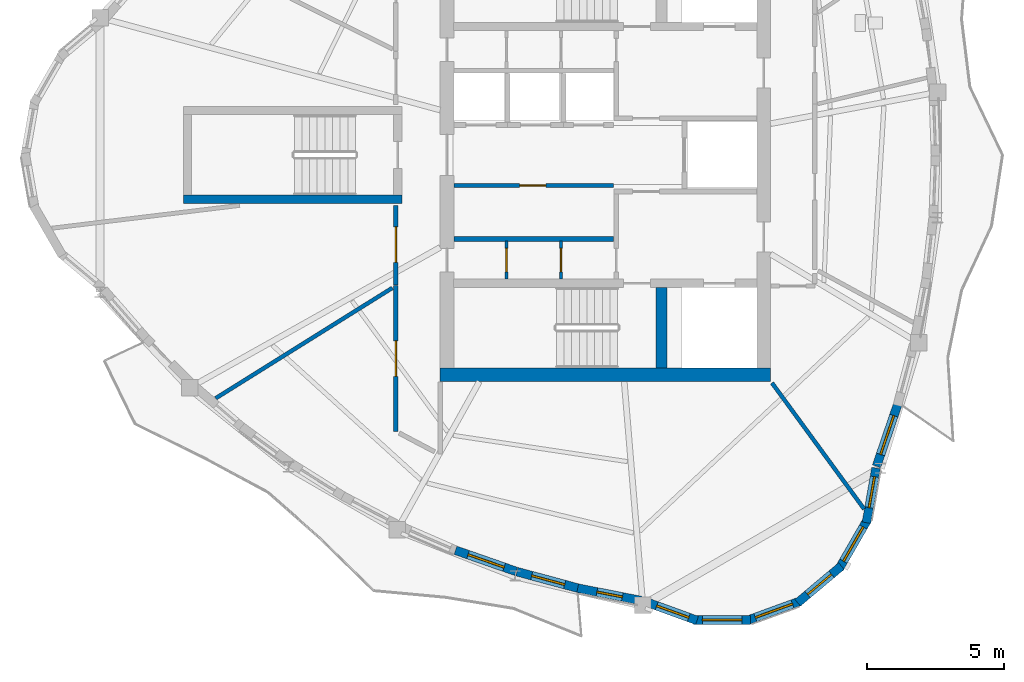
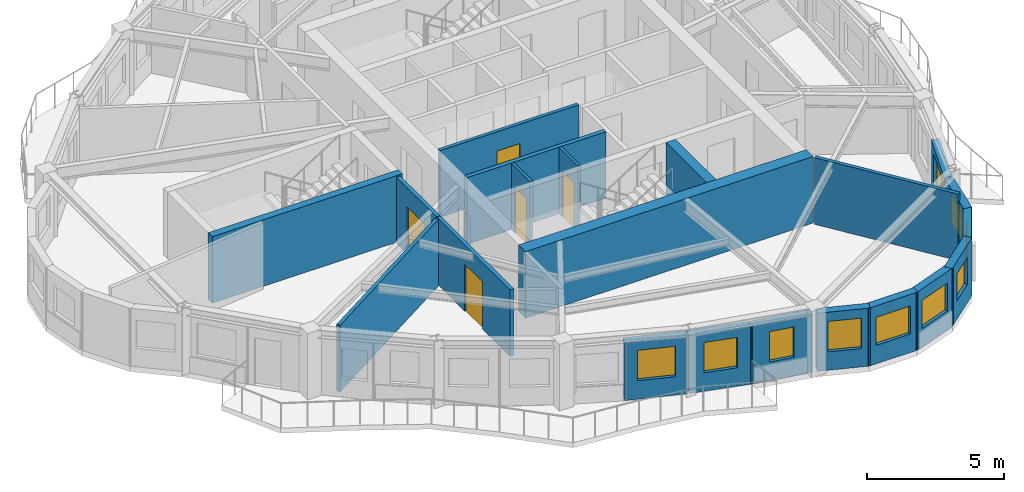
# One storey, part 3 of 11: 21 walls, 10 windows, 5 doors, 15 openings.
"""IFC4 building model written with IfcOpenShell, lengths in metres."""

import ifcopenshell
import ifcopenshell.guid

model = None  # the IFC model being written
_history = None  # IfcOwnerHistory: only IFC2X3 demands one
_inside = {}  # id of a spatial element -> (the spatial element, [elements in it])
_under = {}  # id of a project, library or spatial element -> (it, [spatial elements below it])
_declared = {}  # id of a project -> (the project, [libraries it declares])
_typed = {}  # id of a type object -> (the type object, [elements of that type])
_made_of = {}  # id of a material, layer set ... -> (it, [elements and type objects made of it])


def new_model(schema):
    """Start an empty IFC model of exactly this schema.

    Asked for "IFC4X3", IfcOpenShell would pick the latest addendum, in which some entities
    have other attributes; the version numbers below select the first issue.
    IFC2X3 requires an IfcOwnerHistory on every rooted entity: one is made here for all.
    """
    global model, _history
    if schema == "IFC4X3":
        model = ifcopenshell.file(schema_version=(4, 3, 0, 0))
    else:
        model = ifcopenshell.file(schema=schema)
    _inside.clear()
    _under.clear()
    _declared.clear()
    _typed.clear()
    _made_of.clear()
    _history = None
    if model.schema == "IFC2X3":
        org = make("IfcOrganization", Name="unknown")
        user = make(
            "IfcPersonAndOrganization",
            ThePerson=make("IfcPerson", FamilyName="unknown"),
            TheOrganization=org,
        )
        app = make(
            "IfcApplication",
            ApplicationDeveloper=org,
            Version="unknown",
            ApplicationFullName="unknown",
            ApplicationIdentifier="unknown",
        )
        _history = make(
            "IfcOwnerHistory",
            OwningUser=user,
            OwningApplication=app,
            ChangeAction="ADDED",
            CreationDate=0,
        )
    return model


def make(cls, **values):
    """One entity of the class cls with the attributes given. An attribute that is None is left unset."""
    return model.create_entity(
        cls, **{name: value for name, value in values.items() if value is not None}
    )


def rooted(cls, **values):
    """An entity with a GlobalId (a new one), such as an element, a storey or a relation."""
    return make(cls, GlobalId=ifcopenshell.guid.new(), OwnerHistory=_history, **values)


def si_unit(unit_type, name, prefix=None):
    """IfcSIUnit, for example si_unit("LENGTHUNIT", "METRE", prefix="MILLI")."""
    return make("IfcSIUnit", UnitType=unit_type, Prefix=prefix, Name=name)


def assignment(units):
    """IfcUnitAssignment: the units of a project."""
    return None if units is None else make("IfcUnitAssignment", Units=units)


def point(xyz):
    """IfcCartesianPoint."""
    return None if xyz is None else make("IfcCartesianPoint", Coordinates=xyz)


def direction(xyz):
    """IfcDirection."""
    return None if xyz is None else make("IfcDirection", DirectionRatios=xyz)


def frame(location, z_axis=None, x_axis=None):
    """IfcAxis2Placement3D, a coordinate frame: its origin and axes. An axis left out is left unset."""
    return make(
        "IfcAxis2Placement3D",
        Location=point(location),
        Axis=direction(z_axis),
        RefDirection=direction(x_axis),
    )


def frame_2d(location, x_axis=None):
    """IfcAxis2Placement2D, a coordinate frame in the plane: its origin and x axis."""
    return make(
        "IfcAxis2Placement2D", Location=point(location), RefDirection=direction(x_axis)
    )


def origin():
    """The frame at (0, 0, 0) with its axes left unset."""
    return frame((0.0, 0.0, 0.0))


def place(relative_to, where):
    """IfcLocalPlacement: puts the frame where relative to a parent placement (None: the world)."""
    return make(
        "IfcLocalPlacement", PlacementRelTo=relative_to, RelativePlacement=where
    )


def context(
    kind, dimensions, precision=None, world=None, true_north=None, identifier=None
):
    """IfcGeometricRepresentationContext, for example the 3D "Model" context."""
    return make(
        "IfcGeometricRepresentationContext",
        ContextIdentifier=identifier,
        ContextType=kind,
        CoordinateSpaceDimension=dimensions,
        Precision=precision,
        WorldCoordinateSystem=world,
        TrueNorth=true_north,
    )


def subcontext(parent, identifier, kind, view, scale=None):
    """IfcGeometricRepresentationSubContext, for example "Body" below "Model"."""
    return make(
        "IfcGeometricRepresentationSubContext",
        ContextIdentifier=identifier,
        ContextType=kind,
        ParentContext=parent,
        TargetScale=scale,
        TargetView=view,
    )


def project(units=None, contexts=None):
    """IfcProject with its units and contexts."""
    return rooted(
        "IfcProject",
        Name="project",
        RepresentationContexts=contexts,
        UnitsInContext=assignment(units),
    )


def spatial(cls, under=None, at=None, **own):
    """A site, building, storey or space (cls), placed at a placement, below another one or the project."""
    s = rooted(cls, ObjectPlacement=at, **own)
    if under is not None:
        _under.setdefault(under.id(), (under, []))[1].append(s)
    return s


def profile(cls, at=None, kind="AREA", **sizes):
    """A parametric profile (cls). Its sizes go by their IFC names, for example OverallWidth=200.0."""
    return make(cls, ProfileType=kind, Position=at, **sizes)


def rectangle(**sizes):
    """IfcRectangleProfileDef."""
    return profile("IfcRectangleProfileDef", **sizes)


def extrude(swept, where, along, depth):
    """IfcExtrudedAreaSolid: the profile swept, set in the frame where, extruded along a direction by depth."""
    return make(
        "IfcExtrudedAreaSolid",
        SweptArea=swept,
        Position=where,
        ExtrudedDirection=direction(along),
        Depth=depth,
    )


def shape(context_of_items, identifier, shape_type, items):
    """IfcShapeRepresentation: the items that make up one representation, for example the "Body"."""
    return make(
        "IfcShapeRepresentation",
        ContextOfItems=context_of_items,
        RepresentationIdentifier=identifier,
        RepresentationType=shape_type,
        Items=items,
    )


def source(mapping_origin, context_of_items, identifier, shape_type, items):
    """IfcRepresentationMap: a shape defined once, which mapped items show again and again."""
    return make(
        "IfcRepresentationMap",
        MappingOrigin=mapping_origin,
        MappedRepresentation=shape(context_of_items, identifier, shape_type, items),
    )


def transform(
    local_origin,
    x_axis=None,
    y_axis=None,
    z_axis=None,
    scale=None,
    scale2=None,
    scale3=None,
    uniform=True,
):
    """IfcCartesianTransformationOperator3D, or its non-uniform kind. x_axis, y_axis, z_axis: its Axis1, 2, 3."""
    if uniform:
        return make(
            "IfcCartesianTransformationOperator3D",
            Axis1=direction(x_axis),
            Axis2=direction(y_axis),
            LocalOrigin=point(local_origin),
            Scale=scale,
            Axis3=direction(z_axis),
        )
    return make(
        "IfcCartesianTransformationOperator3DnonUniform",
        Axis1=direction(x_axis),
        Axis2=direction(y_axis),
        LocalOrigin=point(local_origin),
        Scale=scale,
        Axis3=direction(z_axis),
        Scale2=scale2,
        Scale3=scale3,
    )


def mapped(mapping_source, mapping_target):
    """IfcMappedItem: shows the shape of a source again, moved by a transform."""
    return make(
        "IfcMappedItem", MappingSource=mapping_source, MappingTarget=mapping_target
    )


def material(Name=None, Category=None):
    """IfcMaterial."""
    return make("IfcMaterial", Name=Name, Category=Category)


def layer(
    of_material, thickness, ventilated=None, Name=None, Category=None, Priority=None
):
    """IfcMaterialLayer: one layer of a wall or slab, of a material (None: an air gap)."""
    return make(
        "IfcMaterialLayer",
        Material=of_material,
        LayerThickness=thickness,
        IsVentilated=ventilated,
        Name=Name,
        Category=Category,
        Priority=Priority,
    )


def layer_set(layers, Name=None):
    """IfcMaterialLayerSet."""
    return make("IfcMaterialLayerSet", MaterialLayers=layers, LayerSetName=Name)


def made_of(thing, what):
    """Note that an element or type object is made of a material, layer set ...; save() writes the relation."""
    if what is not None:
        _made_of.setdefault(what.id(), (what, []))[1].append(thing)
    return thing


def type_object(cls, material=None, **own):
    """A type object (cls), such as IfcWallType, which elements share."""
    return made_of(rooted(cls, **own), material)


def element(
    cls,
    number,
    at=None,
    inside=None,
    cuts=None,
    type_object=None,
    material=None,
    context=None,
    identifier="Body",
    shape_type=None,
    held_by="IfcProductDefinitionShape",
    body=None,
    shapes=None,
    **own,
):
    """One element of the class cls, such as IfcWall. Its Tag is "e" and its number.

    at: its placement. inside: the storey or other place that contains it. cuts: it is an
    opening in that element (IfcRelVoidsElement). A single representation is given by context,
    identifier, shape_type and body (its items); several are given by shapes. held_by: the class
    of the entity that holds the representations. save() writes the other relations.
    """
    e = rooted(cls, Tag="e%d" % number, ObjectPlacement=at, **own)
    if body is not None:
        shapes = [shape(context, identifier, shape_type, body)]
    if shapes is not None:
        e.Representation = make(held_by, Representations=shapes)
    if inside is not None:
        _inside.setdefault(inside.id(), (inside, []))[1].append(e)
    if cuts is not None:
        rooted(
            "IfcRelVoidsElement", RelatingBuildingElement=cuts, RelatedOpeningElement=e
        )
    if type_object is not None:
        _typed.setdefault(type_object.id(), (type_object, []))[1].append(e)
    return made_of(e, material)


def fill(opening, filler):
    """IfcRelFillsElement: the door or window that sits in an opening."""
    return rooted(
        "IfcRelFillsElement",
        RelatingOpeningElement=opening,
        RelatedBuildingElement=filler,
    )


def aggregate(whole, parts):
    """IfcRelAggregates: a whole, such as a stair, and the parts it consists of."""
    return rooted("IfcRelAggregates", RelatingObject=whole, RelatedObjects=parts)


def save(model, path):
    """Write the relations noted so far, then the file.

    IfcRelAggregates (storeys below a building ...), IfcRelContainedInSpatialStructure (elements
    in a storey), IfcRelDefinesByType, IfcRelAssociatesMaterial and IfcRelDeclares: one each for
    every whole, place, type object, material and project.
    """
    for whole, parts in _under.values():
        aggregate(whole, parts)
    for where, things in _inside.values():
        rooted(
            "IfcRelContainedInSpatialStructure",
            RelatedElements=things,
            RelatingStructure=where,
        )
    for kind, things in _typed.values():
        rooted("IfcRelDefinesByType", RelatedObjects=things, RelatingType=kind)
    for what, things in _made_of.values():
        rooted("IfcRelAssociatesMaterial", RelatedObjects=things, RelatingMaterial=what)
    for by, libraries in _declared.values():
        rooted("IfcRelDeclares", RelatingContext=by, RelatedDefinitions=libraries)
    model.write(path)


model = new_model("IFC4")

# Units and contexts
model_context = context("Model", 3, precision=1e-05, world=origin(), true_north=direction((0.0, 1.0)))
body_context = subcontext(model_context, "Body", "Model", "MODEL_VIEW")
ifc_project = project(units=[si_unit("LENGTHUNIT", "METRE"), si_unit("AREAUNIT", "SQUARE_METRE"), si_unit("VOLUMEUNIT", "CUBIC_METRE"), si_unit("PLANEANGLEUNIT", "RADIAN"), si_unit("MASSUNIT", "GRAM", prefix="KILO")], contexts=[model_context])

# Site, building, storey
site_placement = place(None, origin())
site = spatial("IfcSite", under=ifc_project, at=site_placement, CompositionType="ELEMENT")
building_placement = place(site_placement, origin())
building = spatial("IfcBuilding", under=site, at=building_placement, Name="Qafzar Sky-Pleat Residences", CompositionType="ELEMENT")
storey_placement = place(building_placement, frame((0.0, 0.0, 218.0)))
storey = spatial("IfcBuildingStorey", under=building, at=storey_placement, Name="L65", CompositionType="ELEMENT", Elevation=218.0)

# Wall, opening, door
ifc_material_1 = material(Name="Acoustic gypsum plasterboard partition", Category="gypsum")
ifc_layer_1 = layer(ifc_material_1, 0.159912109375)
ifc_layer_set_1 = layer_set([ifc_layer_1], Name="Acoustic gypsum plasterboard partition")
wall_type_1 = type_object("IfcWallType", Name="PART-COR-160", PredefinedType="PARTITIONING", material=ifc_layer_set_1)
wall_1_placement = place(storey_placement, frame((22.679931640625, 21.22607421875, 0.0), z_axis=(0.0, 0.0, 1.0), x_axis=(0.0, -1.0, 0.0)))
wall_1 = element("IfcWall", 1, at=wall_1_placement, inside=storey, type_object=wall_type_1, Name="L65 Partition Wall PART-L65-PW-003", PredefinedType="PARTITIONING", context=body_context, shape_type="SweptSolid", body=[
    extrude(rectangle(XDim=5.34814453125, YDim=0.159912109375, at=frame_2d((2.674072265625, 0.0))), origin(), (0.0, 0.0, 1.0), 2.9599609375),
])
opening_1_placement = place(wall_1_placement, frame((2.032470703125, 0.0, 0.0)))
opening_1 = element("IfcOpeningElement", 2, at=opening_1_placement, cuts=wall_1, Name="Opening ID-05", PredefinedType="OPENING", context=body_context, shape_type="SweptSolid", body=[
    extrude(rectangle(XDim=1.300048828125, YDim=2.10009765625, at=frame_2d((0.64990234375, 1.050048828125))), frame((0.0, 0.08984375, 0.0), z_axis=(0.0, -1.0, 0.0), x_axis=(1.0, 0.0, 0.0)), (0.0, 0.0, 1.0), 0.179931640625),
])
ifc_material_2 = material(Name="Timber-faced fire door", Category="wood")
door_type_1 = type_object("IfcDoorType", Name="DR-LNG-1300", OperationType="DOUBLE_DOOR_SINGLE_SWING", PredefinedType="DOOR", material=ifc_material_2)
shared_shape_1 = source(origin(), body_context, "Body", "SweptSolid", [
    extrude(rectangle(XDim=1.300048828125, YDim=2.10009765625, at=frame_2d((0.64990234375, 1.050048828125))), frame((0.0, 0.02490234375, 0.0), z_axis=(0.0, -1.0, 0.0), x_axis=(1.0, 0.0, 0.0)), (0.0, 0.0, 1.0), 0.050048828125),
])
door_1_placement = place(opening_1_placement, origin())
door_1 = element("IfcDoor", 3, at=door_1_placement, inside=storey, type_object=door_type_1, Name="L65 Academic Seminar Room Door", OperationType="DOUBLE_DOOR_SINGLE_SWING", OverallHeight=2.10009765625, OverallWidth=1.300048828125, PredefinedType="DOOR", context=body_context, shape_type="MappedRepresentation", body=[
    mapped(shared_shape_1, transform((0.0, 0.0, 0.0), x_axis=(1.0, 0.0, 0.0), y_axis=(0.0, 1.0, 0.0), z_axis=(0.0, 0.0, 1.0), scale=1.0)),
])
fill(opening_1, door_1)

wall_2_placement = place(storey_placement, frame((22.679931640625, 21.240966796875, 0.0), z_axis=(0.0, 0.0, 1.0), x_axis=(0.0, 1.0, 0.0)))
wall_2 = element("IfcWall", 4, at=wall_2_placement, inside=storey, type_object=wall_type_1, Name="L65 Partition Wall PART-L65-PW-008", PredefinedType="PARTITIONING", context=body_context, shape_type="SweptSolid", body=[
    extrude(rectangle(XDim=2.908935546875, YDim=0.159912109375, at=frame_2d((1.45458984375, 0.0))), origin(), (0.0, 0.0, 1.0), 2.9599609375),
])
opening_2_placement = place(wall_2_placement, frame((0.825927734375, 0.0, 0.0)))
opening_2 = element("IfcOpeningElement", 5, at=opening_2_placement, cuts=wall_2, Name="Opening ID-05", PredefinedType="OPENING", context=body_context, shape_type="SweptSolid", body=[
    extrude(rectangle(XDim=1.300048828125, YDim=2.10009765625, at=frame_2d((0.64990234375, 1.050048828125))), frame((0.0, 0.08984375, 0.0), z_axis=(0.0, -1.0, 0.0), x_axis=(1.0, 0.0, 0.0)), (0.0, 0.0, 1.0), 0.179931640625),
])
door_2_placement = place(opening_2_placement, origin())
door_2 = element("IfcDoor", 6, at=door_2_placement, inside=storey, type_object=door_type_1, Name="L65 Research Conference Room Door", OperationType="DOUBLE_DOOR_SINGLE_SWING", OverallHeight=2.10009765625, OverallWidth=1.300048828125, PredefinedType="DOOR", context=body_context, shape_type="MappedRepresentation", body=[
    mapped(shared_shape_1, transform((0.0, 0.0, 0.0), x_axis=(1.0, 0.0, 0.0), y_axis=(0.0, 1.0, 0.0), z_axis=(0.0, 0.0, 1.0), scale=1.0)),
])
fill(opening_2, door_2)

# Wall
ifc_material_3 = material(Name="Concrete blockwork partition", Category="masonry")
ifc_layer_2 = layer(ifc_material_3, 0.179931640625)
ifc_layer_set_2 = layer_set([ifc_layer_2], Name="Concrete blockwork partition")
wall_type_2 = type_object("IfcWallType", Name="PART-SHAFT-180", PredefinedType="PARTITIONING", material=ifc_layer_set_2)
wall_3_placement = place(storey_placement, frame((24.81005859375, 22.919921875, 0.0), z_axis=(0.0, 0.0, 1.0), x_axis=(1.0, 0.0, 0.0)))
element("IfcWall", 7, at=wall_3_placement, inside=storey, type_object=wall_type_2, Name="L65 Partition Wall PART-L65-P13-S", PredefinedType="PARTITIONING", context=body_context, shape_type="SweptSolid", body=[
    extrude(rectangle(XDim=5.83984375, YDim=0.179931640625, at=frame_2d((2.919921875, 0.0))), origin(), (0.0, 0.0, 1.0), 2.9599609375),
])

# Wall, opening, door
ifc_material_4 = material(Name="Gypsum plasterboard partition", Category="gypsum")
ifc_layer_3 = layer(ifc_material_4, 0.114990234375)
ifc_layer_set_3 = layer_set([ifc_layer_3], Name="Gypsum plasterboard partition")
wall_type_3 = type_object("IfcWallType", Name="PART-SVC-115", PredefinedType="PARTITIONING", material=ifc_layer_set_3)
wall_4_placement = place(storey_placement, frame((26.72509765625, 21.4599609375, 0.0), z_axis=(0.0, 0.0, 1.0), x_axis=(0.0, 1.0, 0.0)))
wall_4 = element("IfcWall", 8, at=wall_4_placement, inside=storey, type_object=wall_type_3, Name="L65 Partition Wall PART-L65-KC-SW-1", PredefinedType="PARTITIONING", context=body_context, shape_type="SweptSolid", body=[
    extrude(rectangle(XDim=1.380126953125, YDim=0.114990234375, at=frame_2d((0.68994140625, 0.0))), origin(), (0.0, 0.0, 1.0), 2.9599609375),
])
opening_3_placement = place(wall_4_placement, frame((0.260009765625, 0.0, 0.0)))
opening_3 = element("IfcOpeningElement", 9, at=opening_3_placement, cuts=wall_4, Name="Opening ID-09", PredefinedType="OPENING", context=body_context, shape_type="SweptSolid", body=[
    extrude(rectangle(XDim=0.860107421875, YDim=2.050048828125, at=frame_2d((0.43017578125, 1.02490234375))), frame((0.0, 0.0673828125, 0.0), z_axis=(0.0, -1.0, 0.0), x_axis=(1.0, 0.0, 0.0)), (0.0, 0.0, 1.0), 0.135009765625),
])
door_type_2 = type_object("IfcDoorType", Name="DR-SVC-860", OperationType="NOTDEFINED", PredefinedType="DOOR", material=ifc_material_2)
shared_shape_2 = source(origin(), body_context, "Body", "SweptSolid", [
    extrude(rectangle(XDim=0.860107421875, YDim=2.050048828125, at=frame_2d((0.43017578125, 1.02490234375))), frame((0.0, 0.02490234375, 0.0), z_axis=(0.0, -1.0, 0.0), x_axis=(1.0, 0.0, 0.0)), (0.0, 0.0, 1.0), 0.050048828125),
])
door_3_placement = place(opening_3_placement, origin())
door_3 = element("IfcDoor", 10, at=door_3_placement, inside=storey, type_object=door_type_2, Name="L65 Core South Cupboard 1 Door", OperationType="SINGLE_SWING_RIGHT", OverallHeight=2.050048828125, OverallWidth=0.860107421875, PredefinedType="DOOR", context=body_context, shape_type="MappedRepresentation", body=[
    mapped(shared_shape_2, transform((0.0, 0.0, 0.0), x_axis=(1.0, 0.0, 0.0), y_axis=(0.0, 1.0, 0.0), z_axis=(0.0, 0.0, 1.0), scale=1.0)),
])
fill(opening_3, door_3)

wall_5_placement = place(storey_placement, frame((28.72509765625, 21.4599609375, 0.0), z_axis=(0.0, 0.0, 1.0), x_axis=(0.0, 1.0, 0.0)))
wall_5 = element("IfcWall", 11, at=wall_5_placement, inside=storey, type_object=wall_type_3, Name="L65 Partition Wall PART-L65-KC-SW-2", PredefinedType="PARTITIONING", context=body_context, shape_type="SweptSolid", body=[
    extrude(rectangle(XDim=1.380126953125, YDim=0.114990234375, at=frame_2d((0.68994140625, 0.0))), origin(), (0.0, 0.0, 1.0), 2.9599609375),
])
opening_4_placement = place(wall_5_placement, frame((0.260009765625, 0.0, 0.0)))
opening_4 = element("IfcOpeningElement", 12, at=opening_4_placement, cuts=wall_5, Name="Opening ID-09", PredefinedType="OPENING", context=body_context, shape_type="SweptSolid", body=[
    extrude(rectangle(XDim=0.860107421875, YDim=2.050048828125, at=frame_2d((0.43017578125, 1.02490234375))), frame((0.0, 0.0673828125, 0.0), z_axis=(0.0, -1.0, 0.0), x_axis=(1.0, 0.0, 0.0)), (0.0, 0.0, 1.0), 0.135009765625),
])
door_4_placement = place(opening_4_placement, origin())
door_4 = element("IfcDoor", 13, at=door_4_placement, inside=storey, type_object=door_type_2, Name="L65 Core South Cupboard 2 Door", OperationType="SINGLE_SWING_RIGHT", OverallHeight=2.050048828125, OverallWidth=0.860107421875, PredefinedType="DOOR", context=body_context, shape_type="MappedRepresentation", body=[
    mapped(shared_shape_2, transform((0.0, 0.0, 0.0), x_axis=(1.0, 0.0, 0.0), y_axis=(0.0, 1.0, 0.0), z_axis=(0.0, 0.0, 1.0), scale=1.0)),
])
fill(opening_4, door_4)

ifc_layer_4 = layer(ifc_material_1, 0.14501953125)
ifc_layer_set_4 = layer_set([ifc_layer_4], Name="Acoustic gypsum plasterboard partition")
wall_type_4 = type_object("IfcWallType", Name="PART-UNIT-145", PredefinedType="PARTITIONING", material=ifc_layer_set_4)
wall_6_placement = place(storey_placement, frame((24.81005859375, 24.8798828125, 0.0), z_axis=(0.0, 0.0, 1.0), x_axis=(1.0, 0.0, 0.0)))
wall_6 = element("IfcWall", 14, at=wall_6_placement, inside=storey, type_object=wall_type_4, Name="L65 Partition Wall PART-L65-RECLAIM-N", PredefinedType="PARTITIONING", context=body_context, shape_type="SweptSolid", body=[
    extrude(rectangle(XDim=5.83984375, YDim=0.14501953125, at=frame_2d((2.919921875, 0.0))), origin(), (0.0, 0.0, 1.0), 2.9599609375),
])
opening_5_placement = place(wall_6_placement, frame((2.39990234375, 0.0, 0.0)))
opening_5 = element("IfcOpeningElement", 15, at=opening_5_placement, cuts=wall_6, Name="Opening ID-06", PredefinedType="OPENING", context=body_context, shape_type="SweptSolid", body=[
    extrude(rectangle(XDim=0.9599609375, YDim=2.10009765625, at=frame_2d((0.47998046875, 1.050048828125))), frame((0.0, 0.08251953125, 0.0), z_axis=(0.0, -1.0, 0.0), x_axis=(1.0, 0.0, 0.0)), (0.0, 0.0, 1.0), 0.1650390625),
])
door_type_3 = type_object("IfcDoorType", Name="DR-STD-960", OperationType="NOTDEFINED", PredefinedType="DOOR", material=ifc_material_2)
shared_shape_3 = source(origin(), body_context, "Body", "SweptSolid", [
    extrude(rectangle(XDim=0.9599609375, YDim=2.10009765625, at=frame_2d((0.47998046875, 1.050048828125))), frame((0.0, 0.02490234375, 0.0), z_axis=(0.0, -1.0, 0.0), x_axis=(1.0, 0.0, 0.0)), (0.0, 0.0, 1.0), 0.050048828125),
])
door_5_placement = place(opening_5_placement, origin())
door_5 = element("IfcDoor", 16, at=door_5_placement, inside=storey, type_object=door_type_3, Name="L65 Reclaimed Resident Laundry Room Door", OperationType="SINGLE_SWING_LEFT", OverallHeight=2.10009765625, OverallWidth=0.9599609375, PredefinedType="DOOR", context=body_context, shape_type="MappedRepresentation", body=[
    mapped(shared_shape_3, transform((0.0, 0.0, 0.0), x_axis=(1.0, 0.0, 0.0), y_axis=(0.0, 1.0, 0.0), z_axis=(0.0, 0.0, 1.0), scale=1.0)),
])
fill(opening_5, door_5)

# Walls
wall_7_placement = place(storey_placement, frame((16.082763671875, 17.087646484375, 0.0), z_axis=(0.0, 0.0, 1.0), x_axis=(0.848100737451, 0.529835011239, 0.0)))
element("IfcWall", 17, at=wall_7_placement, inside=storey, type_object=wall_type_4, Name="L65 Partition Wall PART-L65-PW-012", PredefinedType="PARTITIONING", context=body_context, shape_type="SweptSolid", body=[
    extrude(rectangle(XDim=7.631103515625, YDim=0.14501953125, at=frame_2d((3.8154296875, 0.0))), origin(), (0.0, 0.0, 1.0), 2.9599609375),
])
wall_8_placement = place(storey_placement, frame((36.451904296875, 17.65087890625, 0.0), z_axis=(0.0, 0.0, 1.0), x_axis=(0.58995882053, -0.807433334758, 0.0)))
element("IfcWall", 18, at=wall_8_placement, inside=storey, type_object=wall_type_4, Name="L65 Partition Wall PART-L65-PW-016", PredefinedType="PARTITIONING", context=body_context, shape_type="SweptSolid", body=[
    extrude(rectangle(XDim=5.721923828125, YDim=0.14501953125, at=frame_2d((2.86083984375, 0.0))), origin(), (0.0, 0.0, 1.0), 2.9599609375),
])

# Wall, opening, window
ifc_material_5 = material(Name="Precast concrete C40/50 with honed Riyadh limestone", Category="concrete")
ifc_layer_5 = layer(ifc_material_5, 0.320068359375)
ifc_layer_set_5 = layer_set([ifc_layer_5], Name="Precast concrete C40/50 with honed Riyadh limestone")
wall_type_5 = type_object("IfcWallType", Name="WALL-EXT-320", PredefinedType="SOLIDWALL", material=ifc_layer_set_5)
wall_9_placement = place(storey_placement, frame((24.863525390625, 11.522216796875, 0.0), z_axis=(0.0, 0.0, 1.0), x_axis=(0.944161921953, -0.329481813054, 0.0)))
wall_9 = element("IfcWall", 19, at=wall_9_placement, inside=storey, type_object=wall_type_5, Name="L65 Limestone Facade Wall 14", PredefinedType="SOLIDWALL", context=body_context, shape_type="SweptSolid", body=[
    extrude(rectangle(XDim=2.35400390625, YDim=0.320068359375, at=frame_2d((1.177001953125, 0.0))), origin(), (0.0, 0.0, 1.0), 2.580078125),
])
opening_6_placement = place(wall_9_placement, frame((0.487060546875, 0.0, 0.820068359375)))
opening_6 = element("IfcOpeningElement", 20, at=opening_6_placement, cuts=wall_9, Name="Opening WN-10", PredefinedType="OPENING", context=body_context, shape_type="SweptSolid", body=[
    extrude(rectangle(XDim=1.39990234375, YDim=1.35009765625, at=frame_2d((0.699951171875, 0.675048828125))), frame((0.0, 0.169921875, 0.0), z_axis=(0.0, -1.0, 0.0), x_axis=(1.0, 0.0, 0.0)), (0.0, 0.0, 1.0), 0.340087890625),
])
ifc_material_6 = material(Name="Solar-control low-E glass in bronze aluminium frame", Category="glass")
window_type_1 = type_object("IfcWindowType", Name="WIN-10", PartitioningType="SINGLE_PANEL", PredefinedType="WINDOW", material=ifc_material_6)
shared_shape_4 = source(origin(), body_context, "Body", "SweptSolid", [
    extrude(rectangle(XDim=1.39990234375, YDim=1.35009765625, at=frame_2d((0.699951171875, 0.675048828125))), frame((0.0, 0.030029296875, 0.0), z_axis=(0.0, -1.0, 0.0), x_axis=(1.0, 0.0, 0.0)), (0.0, 0.0, 1.0), 0.06005859375),
])
window_1_placement = place(opening_6_placement, origin())
window_1 = element("IfcWindow", 21, at=window_1_placement, inside=storey, type_object=window_type_1, Name="L65 Punched Facade Window 14", OverallHeight=1.35009765625, OverallWidth=1.39990234375, PartitioningType="SINGLE_PANEL", PredefinedType="WINDOW", context=body_context, shape_type="MappedRepresentation", body=[
    mapped(shared_shape_4, transform((0.0, 0.0, 0.0), x_axis=(1.0, 0.0, 0.0), y_axis=(0.0, 1.0, 0.0), z_axis=(0.0, 0.0, 1.0), scale=1.0)),
])
fill(opening_6, window_1)

wall_10_placement = place(storey_placement, frame((27.11328125, 10.738037109375, 0.0), z_axis=(0.0, 0.0, 1.0), x_axis=(0.965455009368, -0.260569808087, 0.0)))
wall_10 = element("IfcWall", 22, at=wall_10_placement, inside=storey, type_object=wall_type_5, Name="L65 Limestone Facade Wall 15", PredefinedType="SOLIDWALL", context=body_context, shape_type="SweptSolid", body=[
    extrude(rectangle(XDim=2.39306640625, YDim=0.320068359375, at=frame_2d((1.196533203125, 0.0))), origin(), (0.0, 0.0, 1.0), 2.580078125),
])
opening_7_placement = place(wall_10_placement, frame((0.561279296875, 0.0, 0.820068359375)))
opening_7 = element("IfcOpeningElement", 23, at=opening_7_placement, cuts=wall_10, Name="Opening WN-11", PredefinedType="OPENING", context=body_context, shape_type="SweptSolid", body=[
    extrude(rectangle(XDim=1.25, YDim=1.35009765625, at=frame_2d((0.625, 0.675048828125))), frame((0.0, 0.169921875, 0.0), z_axis=(0.0, -1.0, 0.0), x_axis=(1.0, 0.0, 0.0)), (0.0, 0.0, 1.0), 0.340087890625),
])
window_type_2 = type_object("IfcWindowType", Name="WIN-11", PartitioningType="SINGLE_PANEL", PredefinedType="WINDOW", material=ifc_material_6)
shared_shape_5 = source(origin(), body_context, "Body", "SweptSolid", [
    extrude(rectangle(XDim=1.25, YDim=1.35009765625, at=frame_2d((0.625, 0.675048828125))), frame((0.0, 0.030029296875, 0.0), z_axis=(0.0, -1.0, 0.0), x_axis=(1.0, 0.0, 0.0)), (0.0, 0.0, 1.0), 0.06005859375),
])
window_2_placement = place(opening_7_placement, origin())
window_2 = element("IfcWindow", 24, at=window_2_placement, inside=storey, type_object=window_type_2, Name="L65 Punched Facade Window 15", OverallHeight=1.35009765625, OverallWidth=1.25, PartitioningType="SINGLE_PANEL", PredefinedType="WINDOW", context=body_context, shape_type="MappedRepresentation", body=[
    mapped(shared_shape_5, transform((0.0, 0.0, 0.0), x_axis=(1.0, 0.0, 0.0), y_axis=(0.0, 1.0, 0.0), z_axis=(0.0, 0.0, 1.0), scale=1.0)),
])
fill(opening_7, window_2)

wall_11_placement = place(storey_placement, frame((29.338623046875, 10.13427734375, 0.0), z_axis=(0.0, 0.0, 1.0), x_axis=(0.98122414649, -0.192870874795, 0.0)))
wall_11 = element("IfcWall", 25, at=wall_11_placement, inside=storey, type_object=wall_type_5, Name="L65 Limestone Facade Wall 16", PredefinedType="SOLIDWALL", context=body_context, shape_type="SweptSolid", body=[
    extrude(rectangle(XDim=2.37353515625, YDim=0.320068359375, at=frame_2d((1.186767578125, 0.0))), origin(), (0.0, 0.0, 1.0), 2.580078125),
])
opening_8_placement = place(wall_11_placement, frame((0.716796875, 0.0, 0.820068359375)))
opening_8 = element("IfcOpeningElement", 26, at=opening_8_placement, cuts=wall_11, Name="Opening WN-12", PredefinedType="OPENING", context=body_context, shape_type="SweptSolid", body=[
    extrude(rectangle(XDim=0.949951171875, YDim=1.35009765625, at=frame_2d((0.47509765625, 0.675048828125))), frame((0.0, 0.169921875, 0.0), z_axis=(0.0, -1.0, 0.0), x_axis=(1.0, 0.0, 0.0)), (0.0, 0.0, 1.0), 0.340087890625),
])
window_type_3 = type_object("IfcWindowType", Name="WIN-12", PartitioningType="SINGLE_PANEL", PredefinedType="WINDOW", material=ifc_material_6)
shared_shape_6 = source(origin(), body_context, "Body", "SweptSolid", [
    extrude(rectangle(XDim=0.949951171875, YDim=1.35009765625, at=frame_2d((0.47509765625, 0.675048828125))), frame((0.0, 0.030029296875, 0.0), z_axis=(0.0, -1.0, 0.0), x_axis=(1.0, 0.0, 0.0)), (0.0, 0.0, 1.0), 0.06005859375),
])
window_3_placement = place(opening_8_placement, origin())
window_3 = element("IfcWindow", 27, at=window_3_placement, inside=storey, type_object=window_type_3, Name="L65 Punched Facade Window 16", OverallHeight=1.35009765625, OverallWidth=0.949951171875, PartitioningType="SINGLE_PANEL", PredefinedType="WINDOW", context=body_context, shape_type="MappedRepresentation", body=[
    mapped(shared_shape_6, transform((0.0, 0.0, 0.0), x_axis=(1.0, 0.0, 0.0), y_axis=(0.0, 1.0, 0.0), z_axis=(0.0, 0.0, 1.0), scale=1.0)),
])
fill(opening_8, window_3)

wall_12_placement = place(storey_placement, frame((31.8642578125, 9.621826171875, 0.0), z_axis=(0.0, 0.0, 1.0), x_axis=(0.939695306975, -0.342012762991, 0.0)))
wall_12 = element("IfcWall", 28, at=wall_12_placement, inside=storey, type_object=wall_type_5, Name="L65 Limestone Facade Wall 17", PredefinedType="SOLIDWALL", context=body_context, shape_type="SweptSolid", body=[
    extrude(rectangle(XDim=1.96240234375, YDim=0.320068359375, at=frame_2d((0.981201171875, 0.0))), origin(), (0.0, 0.0, 1.0), 2.580078125),
])
opening_9_placement = place(wall_12_placement, frame((0.39111328125, 0.0, 0.820068359375)))
opening_9 = element("IfcOpeningElement", 29, at=opening_9_placement, cuts=wall_12, Name="Opening WN-11", PredefinedType="OPENING", context=body_context, shape_type="SweptSolid", body=[
    extrude(rectangle(XDim=1.25, YDim=1.35009765625, at=frame_2d((0.625, 0.675048828125))), frame((0.0, 0.169921875, 0.0), z_axis=(0.0, -1.0, 0.0), x_axis=(1.0, 0.0, 0.0)), (0.0, 0.0, 1.0), 0.340087890625),
])
window_4_placement = place(opening_9_placement, origin())
window_4 = element("IfcWindow", 30, at=window_4_placement, inside=storey, type_object=window_type_2, Name="L65 Punched Facade Window 17", OverallHeight=1.35009765625, OverallWidth=1.25, PartitioningType="SINGLE_PANEL", PredefinedType="WINDOW", context=body_context, shape_type="MappedRepresentation", body=[
    mapped(shared_shape_5, transform((0.0, 0.0, 0.0), x_axis=(1.0, 0.0, 0.0), y_axis=(0.0, 1.0, 0.0), z_axis=(0.0, 0.0, 1.0), scale=1.0)),
])
fill(opening_9, window_4)

wall_13_placement = place(storey_placement, frame((33.579833984375, 8.973388671875, 0.0), z_axis=(0.0, 0.0, 1.0), x_axis=(1.0, 0.0, 0.0)))
wall_13 = element("IfcWall", 31, at=wall_13_placement, inside=storey, type_object=wall_type_5, Name="L65 Limestone Facade Wall 18", PredefinedType="SOLIDWALL", context=body_context, shape_type="SweptSolid", body=[
    extrude(rectangle(XDim=2.09033203125, YDim=0.320068359375, at=frame_2d((1.045166015625, 0.0))), origin(), (0.0, 0.0, 1.0), 2.580078125),
])
opening_10_placement = place(wall_13_placement, frame((0.3203125, 0.0, 0.820068359375)))
opening_10 = element("IfcOpeningElement", 32, at=opening_10_placement, cuts=wall_13, Name="Opening WN-15", PredefinedType="OPENING", context=body_context, shape_type="SweptSolid", body=[
    extrude(rectangle(XDim=1.449951171875, YDim=1.25, at=frame_2d((0.72509765625, 0.625))), frame((0.0, 0.169921875, 0.0), z_axis=(0.0, -1.0, 0.0), x_axis=(1.0, 0.0, 0.0)), (0.0, 0.0, 1.0), 0.340087890625),
])
window_type_4 = type_object("IfcWindowType", Name="WIN-15", PartitioningType="SINGLE_PANEL", PredefinedType="WINDOW", material=ifc_material_6)
shared_shape_7 = source(origin(), body_context, "Body", "SweptSolid", [
    extrude(rectangle(XDim=1.449951171875, YDim=1.25, at=frame_2d((0.72509765625, 0.625))), frame((0.0, 0.030029296875, 0.0), z_axis=(0.0, -1.0, 0.0), x_axis=(1.0, 0.0, 0.0)), (0.0, 0.0, 1.0), 0.06005859375),
])
window_5_placement = place(opening_10_placement, origin())
window_5 = element("IfcWindow", 33, at=window_5_placement, inside=storey, type_object=window_type_4, Name="L65 Punched Facade Window 18", OverallHeight=1.25, OverallWidth=1.449951171875, PartitioningType="SINGLE_PANEL", PredefinedType="WINDOW", context=body_context, shape_type="MappedRepresentation", body=[
    mapped(shared_shape_7, transform((0.0, 0.0, 0.0), x_axis=(1.0, 0.0, 0.0), y_axis=(0.0, 1.0, 0.0), z_axis=(0.0, 0.0, 1.0), scale=1.0)),
])
fill(opening_10, window_5)

wall_14_placement = place(storey_placement, frame((35.541748046875, 8.95068359375, 0.0), z_axis=(0.0, 0.0, 1.0), x_axis=(0.939711556618, 0.341968113072, 0.0)))
wall_14 = element("IfcWall", 34, at=wall_14_placement, inside=storey, type_object=wall_type_5, Name="L65 Limestone Facade Wall 19", PredefinedType="SOLIDWALL", context=body_context, shape_type="SweptSolid", body=[
    extrude(rectangle(XDim=2.09033203125, YDim=0.320068359375, at=frame_2d((1.045166015625, 0.0))), origin(), (0.0, 0.0, 1.0), 2.580078125),
])
opening_11_placement = place(wall_14_placement, frame((0.320068359375, 0.0, 0.820068359375)))
opening_11 = element("IfcOpeningElement", 35, at=opening_11_placement, cuts=wall_14, Name="Opening WN-15", PredefinedType="OPENING", context=body_context, shape_type="SweptSolid", body=[
    extrude(rectangle(XDim=1.449951171875, YDim=1.25, at=frame_2d((0.72509765625, 0.625))), frame((0.0, 0.169921875, 0.0), z_axis=(0.0, -1.0, 0.0), x_axis=(1.0, 0.0, 0.0)), (0.0, 0.0, 1.0), 0.340087890625),
])
window_6_placement = place(opening_11_placement, origin())
window_6 = element("IfcWindow", 36, at=window_6_placement, inside=storey, type_object=window_type_4, Name="L65 Punched Facade Window 19", OverallHeight=1.25, OverallWidth=1.449951171875, PartitioningType="SINGLE_PANEL", PredefinedType="WINDOW", context=body_context, shape_type="MappedRepresentation", body=[
    mapped(shared_shape_7, transform((0.0, 0.0, 0.0), x_axis=(1.0, 0.0, 0.0), y_axis=(0.0, 1.0, 0.0), z_axis=(0.0, 0.0, 1.0), scale=1.0)),
])
fill(opening_11, window_6)

wall_15_placement = place(storey_placement, frame((37.39306640625, 9.600341796875, 0.0), z_axis=(0.0, 0.0, 1.0), x_axis=(0.766024572719, 0.642811289563, 0.0)))
wall_15 = element("IfcWall", 37, at=wall_15_placement, inside=storey, type_object=wall_type_5, Name="L65 Limestone Facade Wall 20", PredefinedType="SOLIDWALL", context=body_context, shape_type="SweptSolid", body=[
    extrude(rectangle(XDim=2.09033203125, YDim=0.320068359375, at=frame_2d((1.045166015625, 0.0))), origin(), (0.0, 0.0, 1.0), 2.580078125),
])
opening_12_placement = place(wall_15_placement, frame((0.47021484375, 0.0, 0.820068359375)))
opening_12 = element("IfcOpeningElement", 38, at=opening_12_placement, cuts=wall_15, Name="Opening WN-16", PredefinedType="OPENING", context=body_context, shape_type="SweptSolid", body=[
    extrude(rectangle(XDim=1.14990234375, YDim=1.199951171875, at=frame_2d((0.574951171875, 0.60009765625))), frame((0.0, 0.169921875, 0.0), z_axis=(0.0, -1.0, 0.0), x_axis=(1.0, 0.0, 0.0)), (0.0, 0.0, 1.0), 0.340087890625),
])
window_type_5 = type_object("IfcWindowType", Name="WIN-16", PartitioningType="SINGLE_PANEL", PredefinedType="WINDOW", material=ifc_material_6)
shared_shape_8 = source(origin(), body_context, "Body", "SweptSolid", [
    extrude(rectangle(XDim=1.14990234375, YDim=1.199951171875, at=frame_2d((0.574951171875, 0.60009765625))), frame((0.0, 0.030029296875, 0.0), z_axis=(0.0, -1.0, 0.0), x_axis=(1.0, 0.0, 0.0)), (0.0, 0.0, 1.0), 0.06005859375),
])
window_7_placement = place(opening_12_placement, origin())
window_7 = element("IfcWindow", 39, at=window_7_placement, inside=storey, type_object=window_type_5, Name="L65 Punched Facade Window 20", OverallHeight=1.199951171875, OverallWidth=1.14990234375, PartitioningType="SINGLE_PANEL", PredefinedType="WINDOW", context=body_context, shape_type="MappedRepresentation", body=[
    mapped(shared_shape_8, transform((0.0, 0.0, 0.0), x_axis=(1.0, 0.0, 0.0), y_axis=(0.0, 1.0, 0.0), z_axis=(0.0, 0.0, 1.0), scale=1.0)),
])
fill(opening_12, window_7)

wall_16_placement = place(storey_placement, frame((38.910400390625, 10.843994140625, 0.0), z_axis=(0.0, 0.0, 1.0), x_axis=(0.499995423472, 0.866028046028, 0.0)))
wall_16 = element("IfcWall", 40, at=wall_16_placement, inside=storey, type_object=wall_type_5, Name="L65 Limestone Facade Wall 21", PredefinedType="SOLIDWALL", context=body_context, shape_type="SweptSolid", body=[
    extrude(rectangle(XDim=2.09033203125, YDim=0.320068359375, at=frame_2d((1.045166015625, 0.0))), origin(), (0.0, 0.0, 1.0), 2.580078125),
])
opening_13_placement = place(wall_16_placement, frame((0.320068359375, 0.0, 0.820068359375)))
opening_13 = element("IfcOpeningElement", 41, at=opening_13_placement, cuts=wall_16, Name="Opening WN-15", PredefinedType="OPENING", context=body_context, shape_type="SweptSolid", body=[
    extrude(rectangle(XDim=1.449951171875, YDim=1.25, at=frame_2d((0.72509765625, 0.625))), frame((0.0, 0.169921875, 0.0), z_axis=(0.0, -1.0, 0.0), x_axis=(1.0, 0.0, 0.0)), (0.0, 0.0, 1.0), 0.340087890625),
])
window_8_placement = place(opening_13_placement, origin())
window_8 = element("IfcWindow", 42, at=window_8_placement, inside=storey, type_object=window_type_4, Name="L65 Punched Facade Window 21", OverallHeight=1.25, OverallWidth=1.449951171875, PartitioningType="SINGLE_PANEL", PredefinedType="WINDOW", context=body_context, shape_type="MappedRepresentation", body=[
    mapped(shared_shape_7, transform((0.0, 0.0, 0.0), x_axis=(1.0, 0.0, 0.0), y_axis=(0.0, 1.0, 0.0), z_axis=(0.0, 0.0, 1.0), scale=1.0)),
])
fill(opening_13, window_8)

wall_17_placement = place(storey_placement, frame((39.910888671875, 12.53173828125, 0.0), z_axis=(0.0, 0.0, 1.0), x_axis=(0.17370309897, 0.984798067326, 0.0)))
wall_17 = element("IfcWall", 43, at=wall_17_placement, inside=storey, type_object=wall_type_5, Name="L65 Limestone Facade Wall 22", PredefinedType="SOLIDWALL", context=body_context, shape_type="SweptSolid", body=[
    extrude(rectangle(XDim=2.032470703125, YDim=0.320068359375, at=frame_2d((1.01611328125, 0.0))), origin(), (0.0, 0.0, 1.0), 2.580078125),
])
opening_14_placement = place(wall_17_placement, frame((0.560791015625, 0.0, 0.820068359375)))
opening_14 = element("IfcOpeningElement", 44, at=opening_14_placement, cuts=wall_17, Name="Opening WN-16", PredefinedType="OPENING", context=body_context, shape_type="SweptSolid", body=[
    extrude(rectangle(XDim=1.14990234375, YDim=1.199951171875, at=frame_2d((0.574951171875, 0.60009765625))), frame((0.0, 0.169921875, 0.0), z_axis=(0.0, -1.0, 0.0), x_axis=(1.0, 0.0, 0.0)), (0.0, 0.0, 1.0), 0.340087890625),
])
window_9_placement = place(opening_14_placement, origin())
window_9 = element("IfcWindow", 45, at=window_9_placement, inside=storey, type_object=window_type_5, Name="L65 Punched Facade Window 22-2", OverallHeight=1.199951171875, OverallWidth=1.14990234375, PartitioningType="SINGLE_PANEL", PredefinedType="WINDOW", context=body_context, shape_type="MappedRepresentation", body=[
    mapped(shared_shape_8, transform((0.0, 0.0, 0.0), x_axis=(1.0, 0.0, 0.0), y_axis=(0.0, 1.0, 0.0), z_axis=(0.0, 0.0, 1.0), scale=1.0)),
])
fill(opening_14, window_9)

wall_18_placement = place(storey_placement, frame((40.280029296875, 14.595947265625, 0.0), z_axis=(0.0, 0.0, 1.0), x_axis=(0.323652367975, 0.946176064326, 0.0)))
wall_18 = element("IfcWall", 46, at=wall_18_placement, inside=storey, type_object=wall_type_5, Name="L65 Limestone Facade Wall 23", PredefinedType="SOLIDWALL", context=body_context, shape_type="SweptSolid", body=[
    extrude(rectangle(XDim=2.443359375, YDim=0.320068359375, at=frame_2d((1.2216796875, 0.0))), origin(), (0.0, 0.0, 1.0), 2.580078125),
])
opening_15_placement = place(wall_18_placement, frame((0.461669921875, 0.0, 0.820068359375)))
opening_15 = element("IfcOpeningElement", 47, at=opening_15_placement, cuts=wall_18, Name="Opening WN-03", PredefinedType="OPENING", context=body_context, shape_type="SweptSolid", body=[
    extrude(rectangle(XDim=1.5, YDim=1.449951171875, at=frame_2d((0.75, 0.72509765625))), frame((0.0, 0.169921875, 0.0), z_axis=(0.0, -1.0, 0.0), x_axis=(1.0, 0.0, 0.0)), (0.0, 0.0, 1.0), 0.340087890625),
])
window_type_6 = type_object("IfcWindowType", Name="WIN-03", PartitioningType="DOUBLE_PANEL_VERTICAL", PredefinedType="WINDOW", material=ifc_material_6)
shared_shape_9 = source(origin(), body_context, "Body", "SweptSolid", [
    extrude(rectangle(XDim=1.5, YDim=1.449951171875, at=frame_2d((0.75, 0.72509765625))), frame((0.0, 0.030029296875, 0.0), z_axis=(0.0, -1.0, 0.0), x_axis=(1.0, 0.0, 0.0)), (0.0, 0.0, 1.0), 0.06005859375),
])
window_10_placement = place(opening_15_placement, origin())
window_10 = element("IfcWindow", 48, at=window_10_placement, inside=storey, type_object=window_type_6, Name="L65 Punched Facade Window 23", OverallHeight=1.449951171875, OverallWidth=1.5, PartitioningType="SINGLE_PANEL", PredefinedType="WINDOW", context=body_context, shape_type="MappedRepresentation", body=[
    mapped(shared_shape_9, transform((0.0, 0.0, 0.0), x_axis=(1.0, 0.0, 0.0), y_axis=(0.0, 1.0, 0.0), z_axis=(0.0, 0.0, 1.0), scale=1.0)),
])
fill(opening_15, window_10)

# Walls
ifc_material_7 = material(Name="Concrete C60/75", Category="concrete")
ifc_layer_6 = layer(ifc_material_7, 0.300048828125)
ifc_layer_set_6 = layer_set([ifc_layer_6], Name="Concrete C60/75")
wall_type_6 = type_object("IfcWallType", Name="WALL-SHEAR-300", PredefinedType="SHEAR", material=ifc_layer_set_6)
wall_19_placement = place(storey_placement, frame((14.89990234375, 24.375, 0.0), z_axis=(0.0, 0.0, 1.0), x_axis=(1.0, 0.0, 0.0)))
element("IfcWall", 49, at=wall_19_placement, inside=storey, type_object=wall_type_6, Name="L65 ST3 wall S", PredefinedType="SHEAR", context=body_context, shape_type="SweptSolid", body=[
    extrude(rectangle(XDim=8.0, YDim=0.300048828125, at=frame_2d((4.0, 0.0))), origin(), (0.0, 0.0, 1.0), 2.9599609375),
])
ifc_layer_7 = layer(ifc_material_7, 0.39990234375)
ifc_layer_set_7 = layer_set([ifc_layer_7], Name="Concrete C60/75")
wall_type_7 = type_object("IfcWallType", Name="WALL-SHEAR-400", PredefinedType="SHEAR", material=ifc_layer_set_7)
wall_20_placement = place(storey_placement, frame((32.39990234375, 18.199951171875, 0.0), z_axis=(0.0, 0.0, 1.0), x_axis=(0.0, 1.0, 0.0)))
element("IfcWall", 50, at=wall_20_placement, inside=storey, type_object=wall_type_7, Name="L65 Stair ST1 East Dividing Wall", PredefinedType="SHEAR", context=body_context, shape_type="SweptSolid", body=[
    extrude(rectangle(XDim=2.949951171875, YDim=0.39990234375, at=frame_2d((1.47509765625, 0.0))), origin(), (0.0, 0.0, 1.0), 2.9599609375),
])
ifc_layer_8 = layer(ifc_material_7, 0.5)
ifc_layer_set_8 = layer_set([ifc_layer_8], Name="Concrete C60/75")
wall_type_8 = type_object("IfcWallType", Name="WALL-SHEAR-500", PredefinedType="SHEAR", material=ifc_layer_set_8)
wall_21_placement = place(storey_placement, frame((24.300048828125, 17.949951171875, 0.0), z_axis=(0.0, 0.0, 1.0), x_axis=(1.0, 0.0, 0.0)))
element("IfcWall", 51, at=wall_21_placement, inside=storey, type_object=wall_type_8, Name="L65 CORE wall S", PredefinedType="SHEAR", context=body_context, shape_type="SweptSolid", body=[
    extrude(rectangle(XDim=12.099853515625, YDim=0.5, at=frame_2d((6.0498046875, 0.0))), origin(), (0.0, 0.0, 1.0), 2.9599609375),
])

save(model, "model.ifc")
